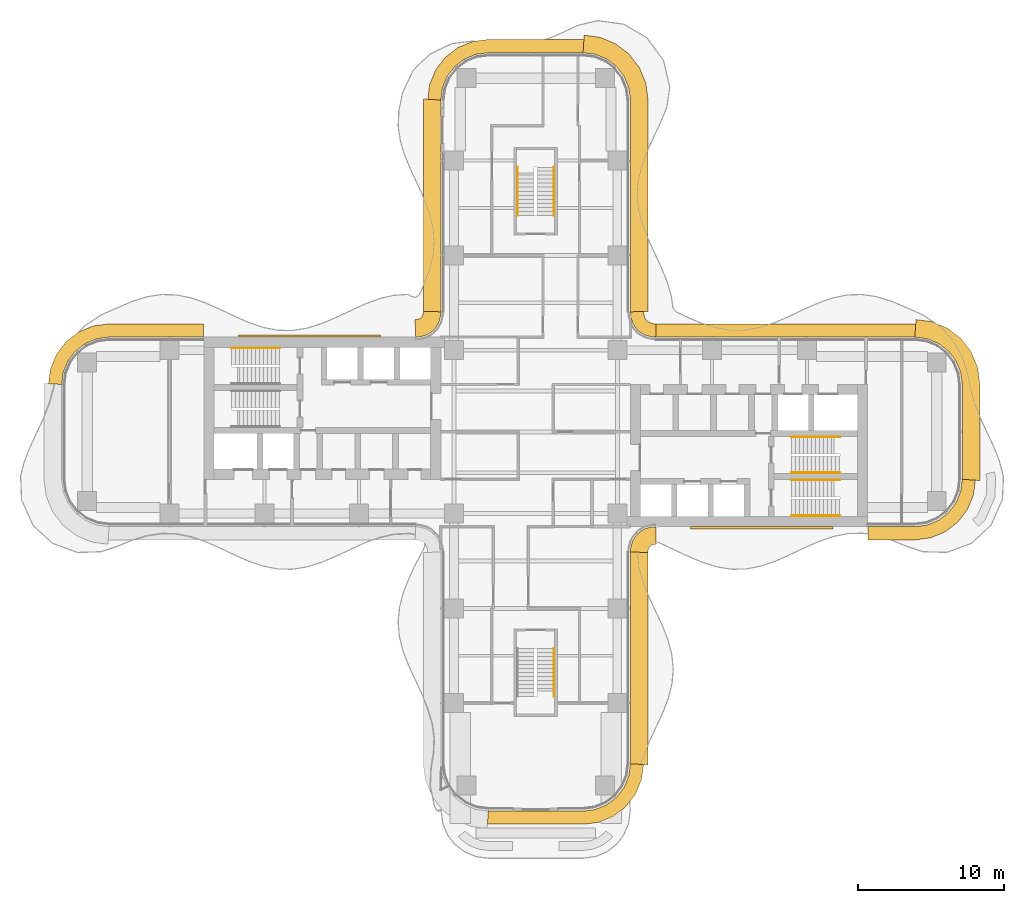
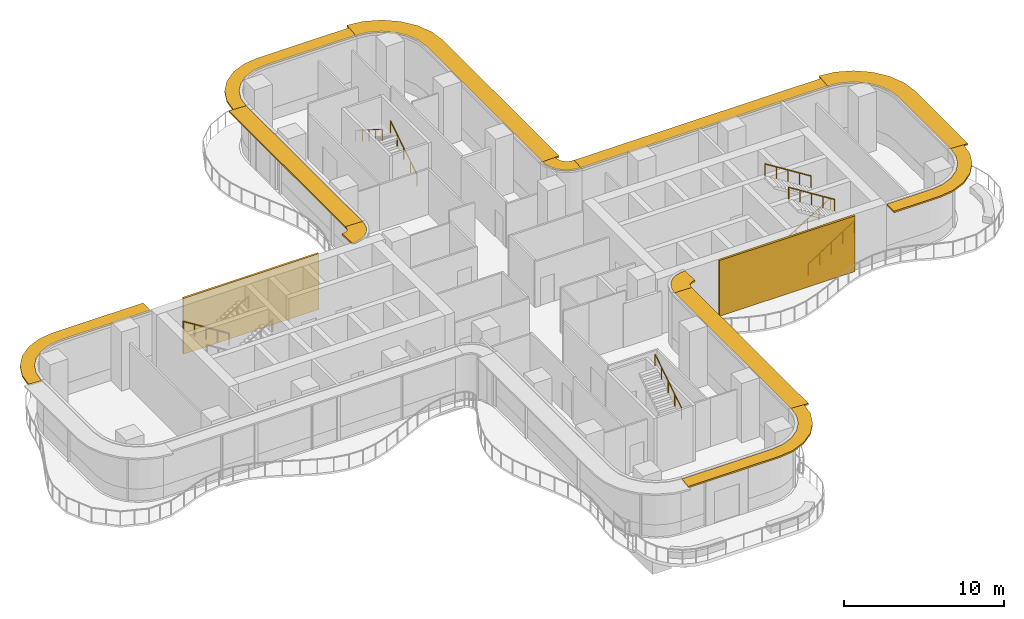
# One storey, part 22 of 22: 12 shading devices, 8 railings, 2 coverings.
"""IFC4 building model written with IfcOpenShell, lengths in metres."""

import ifcopenshell
import ifcopenshell.guid

model = None  # the IFC model being written
_history = None  # IfcOwnerHistory: only IFC2X3 demands one
_inside = {}  # id of a spatial element -> (the spatial element, [elements in it])
_under = {}  # id of a project, library or spatial element -> (it, [spatial elements below it])
_declared = {}  # id of a project -> (the project, [libraries it declares])
_typed = {}  # id of a type object -> (the type object, [elements of that type])
_made_of = {}  # id of a material, layer set ... -> (it, [elements and type objects made of it])


def new_model(schema):
    """Start an empty IFC model of exactly this schema.

    Asked for "IFC4X3", IfcOpenShell would pick the latest addendum, in which some entities
    have other attributes; the version numbers below select the first issue.
    IFC2X3 requires an IfcOwnerHistory on every rooted entity: one is made here for all.
    """
    global model, _history
    if schema == "IFC4X3":
        model = ifcopenshell.file(schema_version=(4, 3, 0, 0))
    else:
        model = ifcopenshell.file(schema=schema)
    _inside.clear()
    _under.clear()
    _declared.clear()
    _typed.clear()
    _made_of.clear()
    _history = None
    if model.schema == "IFC2X3":
        org = make("IfcOrganization", Name="unknown")
        user = make(
            "IfcPersonAndOrganization",
            ThePerson=make("IfcPerson", FamilyName="unknown"),
            TheOrganization=org,
        )
        app = make(
            "IfcApplication",
            ApplicationDeveloper=org,
            Version="unknown",
            ApplicationFullName="unknown",
            ApplicationIdentifier="unknown",
        )
        _history = make(
            "IfcOwnerHistory",
            OwningUser=user,
            OwningApplication=app,
            ChangeAction="ADDED",
            CreationDate=0,
        )
    return model


def make(cls, **values):
    """One entity of the class cls with the attributes given. An attribute that is None is left unset."""
    return model.create_entity(
        cls, **{name: value for name, value in values.items() if value is not None}
    )


def rooted(cls, **values):
    """An entity with a GlobalId (a new one), such as an element, a storey or a relation."""
    return make(cls, GlobalId=ifcopenshell.guid.new(), OwnerHistory=_history, **values)


def si_unit(unit_type, name, prefix=None):
    """IfcSIUnit, for example si_unit("LENGTHUNIT", "METRE", prefix="MILLI")."""
    return make("IfcSIUnit", UnitType=unit_type, Prefix=prefix, Name=name)


def assignment(units):
    """IfcUnitAssignment: the units of a project."""
    return None if units is None else make("IfcUnitAssignment", Units=units)


def point(xyz):
    """IfcCartesianPoint."""
    return None if xyz is None else make("IfcCartesianPoint", Coordinates=xyz)


def direction(xyz):
    """IfcDirection."""
    return None if xyz is None else make("IfcDirection", DirectionRatios=xyz)


def frame(location, z_axis=None, x_axis=None):
    """IfcAxis2Placement3D, a coordinate frame: its origin and axes. An axis left out is left unset."""
    return make(
        "IfcAxis2Placement3D",
        Location=point(location),
        Axis=direction(z_axis),
        RefDirection=direction(x_axis),
    )


def frame_2d(location, x_axis=None):
    """IfcAxis2Placement2D, a coordinate frame in the plane: its origin and x axis."""
    return make(
        "IfcAxis2Placement2D", Location=point(location), RefDirection=direction(x_axis)
    )


def origin():
    """The frame at (0, 0, 0) with its axes left unset."""
    return frame((0.0, 0.0, 0.0))


def origin_2d():
    """The frame at (0, 0) in the plane with its x axis left unset."""
    return frame_2d((0.0, 0.0))


def place(relative_to, where):
    """IfcLocalPlacement: puts the frame where relative to a parent placement (None: the world)."""
    return make(
        "IfcLocalPlacement", PlacementRelTo=relative_to, RelativePlacement=where
    )


def context(
    kind, dimensions, precision=None, world=None, true_north=None, identifier=None
):
    """IfcGeometricRepresentationContext, for example the 3D "Model" context."""
    return make(
        "IfcGeometricRepresentationContext",
        ContextIdentifier=identifier,
        ContextType=kind,
        CoordinateSpaceDimension=dimensions,
        Precision=precision,
        WorldCoordinateSystem=world,
        TrueNorth=true_north,
    )


def subcontext(parent, identifier, kind, view, scale=None):
    """IfcGeometricRepresentationSubContext, for example "Body" below "Model"."""
    return make(
        "IfcGeometricRepresentationSubContext",
        ContextIdentifier=identifier,
        ContextType=kind,
        ParentContext=parent,
        TargetScale=scale,
        TargetView=view,
    )


def project(units=None, contexts=None):
    """IfcProject with its units and contexts."""
    return rooted(
        "IfcProject",
        Name="project",
        RepresentationContexts=contexts,
        UnitsInContext=assignment(units),
    )


def spatial(cls, under=None, at=None, **own):
    """A site, building, storey or space (cls), placed at a placement, below another one or the project."""
    s = rooted(cls, ObjectPlacement=at, **own)
    if under is not None:
        _under.setdefault(under.id(), (under, []))[1].append(s)
    return s


def polyline(points):
    """IfcPolyline through the points."""
    return make("IfcPolyline", Points=[point(p) for p in points])


def profile(cls, at=None, kind="AREA", **sizes):
    """A parametric profile (cls). Its sizes go by their IFC names, for example OverallWidth=200.0."""
    return make(cls, ProfileType=kind, Position=at, **sizes)


def circle(**sizes):
    """IfcCircleProfileDef."""
    return profile("IfcCircleProfileDef", **sizes)


def outline(outer, holes=None, kind="AREA"):
    """IfcArbitraryClosedProfileDef: a profile drawn as a closed curve; with holes, ...WithVoids."""
    if holes is None:
        return make("IfcArbitraryClosedProfileDef", ProfileType=kind, OuterCurve=outer)
    return make(
        "IfcArbitraryProfileDefWithVoids",
        ProfileType=kind,
        OuterCurve=outer,
        InnerCurves=holes,
    )


def extrude(swept, where, along, depth):
    """IfcExtrudedAreaSolid: the profile swept, set in the frame where, extruded along a direction by depth."""
    return make(
        "IfcExtrudedAreaSolid",
        SweptArea=swept,
        Position=where,
        ExtrudedDirection=direction(along),
        Depth=depth,
    )


def shape(context_of_items, identifier, shape_type, items):
    """IfcShapeRepresentation: the items that make up one representation, for example the "Body"."""
    return make(
        "IfcShapeRepresentation",
        ContextOfItems=context_of_items,
        RepresentationIdentifier=identifier,
        RepresentationType=shape_type,
        Items=items,
    )


def source(mapping_origin, context_of_items, identifier, shape_type, items):
    """IfcRepresentationMap: a shape defined once, which mapped items show again and again."""
    return make(
        "IfcRepresentationMap",
        MappingOrigin=mapping_origin,
        MappedRepresentation=shape(context_of_items, identifier, shape_type, items),
    )


def transform(
    local_origin,
    x_axis=None,
    y_axis=None,
    z_axis=None,
    scale=None,
    scale2=None,
    scale3=None,
    uniform=True,
):
    """IfcCartesianTransformationOperator3D, or its non-uniform kind. x_axis, y_axis, z_axis: its Axis1, 2, 3."""
    if uniform:
        return make(
            "IfcCartesianTransformationOperator3D",
            Axis1=direction(x_axis),
            Axis2=direction(y_axis),
            LocalOrigin=point(local_origin),
            Scale=scale,
            Axis3=direction(z_axis),
        )
    return make(
        "IfcCartesianTransformationOperator3DnonUniform",
        Axis1=direction(x_axis),
        Axis2=direction(y_axis),
        LocalOrigin=point(local_origin),
        Scale=scale,
        Axis3=direction(z_axis),
        Scale2=scale2,
        Scale3=scale3,
    )


def mapped(mapping_source, mapping_target):
    """IfcMappedItem: shows the shape of a source again, moved by a transform."""
    return make(
        "IfcMappedItem", MappingSource=mapping_source, MappingTarget=mapping_target
    )


def material(Name=None, Category=None):
    """IfcMaterial."""
    return make("IfcMaterial", Name=Name, Category=Category)


def layer(
    of_material, thickness, ventilated=None, Name=None, Category=None, Priority=None
):
    """IfcMaterialLayer: one layer of a wall or slab, of a material (None: an air gap)."""
    return make(
        "IfcMaterialLayer",
        Material=of_material,
        LayerThickness=thickness,
        IsVentilated=ventilated,
        Name=Name,
        Category=Category,
        Priority=Priority,
    )


def layer_set(layers, Name=None):
    """IfcMaterialLayerSet."""
    return make("IfcMaterialLayerSet", MaterialLayers=layers, LayerSetName=Name)


def made_of(thing, what):
    """Note that an element or type object is made of a material, layer set ...; save() writes the relation."""
    if what is not None:
        _made_of.setdefault(what.id(), (what, []))[1].append(thing)
    return thing


def type_object(cls, material=None, **own):
    """A type object (cls), such as IfcWallType, which elements share."""
    return made_of(rooted(cls, **own), material)


def element(
    cls,
    number,
    at=None,
    inside=None,
    cuts=None,
    type_object=None,
    material=None,
    context=None,
    identifier="Body",
    shape_type=None,
    held_by="IfcProductDefinitionShape",
    body=None,
    shapes=None,
    **own,
):
    """One element of the class cls, such as IfcWall. Its Tag is "e" and its number.

    at: its placement. inside: the storey or other place that contains it. cuts: it is an
    opening in that element (IfcRelVoidsElement). A single representation is given by context,
    identifier, shape_type and body (its items); several are given by shapes. held_by: the class
    of the entity that holds the representations. save() writes the other relations.
    """
    e = rooted(cls, Tag="e%d" % number, ObjectPlacement=at, **own)
    if body is not None:
        shapes = [shape(context, identifier, shape_type, body)]
    if shapes is not None:
        e.Representation = make(held_by, Representations=shapes)
    if inside is not None:
        _inside.setdefault(inside.id(), (inside, []))[1].append(e)
    if cuts is not None:
        rooted(
            "IfcRelVoidsElement", RelatingBuildingElement=cuts, RelatedOpeningElement=e
        )
    if type_object is not None:
        _typed.setdefault(type_object.id(), (type_object, []))[1].append(e)
    return made_of(e, material)


def aggregate(whole, parts):
    """IfcRelAggregates: a whole, such as a stair, and the parts it consists of."""
    return rooted("IfcRelAggregates", RelatingObject=whole, RelatedObjects=parts)


def save(model, path):
    """Write the relations noted so far, then the file.

    IfcRelAggregates (storeys below a building ...), IfcRelContainedInSpatialStructure (elements
    in a storey), IfcRelDefinesByType, IfcRelAssociatesMaterial and IfcRelDeclares: one each for
    every whole, place, type object, material and project.
    """
    for whole, parts in _under.values():
        aggregate(whole, parts)
    for where, things in _inside.values():
        rooted(
            "IfcRelContainedInSpatialStructure",
            RelatedElements=things,
            RelatingStructure=where,
        )
    for kind, things in _typed.values():
        rooted("IfcRelDefinesByType", RelatedObjects=things, RelatingType=kind)
    for what, things in _made_of.values():
        rooted("IfcRelAssociatesMaterial", RelatedObjects=things, RelatingMaterial=what)
    for by, libraries in _declared.values():
        rooted("IfcRelDeclares", RelatingContext=by, RelatedDefinitions=libraries)
    model.write(path)


model = new_model("IFC4")

# Units and contexts
model_context = context("Model", 3, precision=1e-05, world=origin(), true_north=direction((0.0, 1.0)))
body_context = subcontext(model_context, "Body", "Model", "MODEL_VIEW")
ifc_project = project(units=[si_unit("LENGTHUNIT", "METRE"), si_unit("AREAUNIT", "SQUARE_METRE"), si_unit("VOLUMEUNIT", "CUBIC_METRE"), si_unit("PLANEANGLEUNIT", "RADIAN"), si_unit("MASSUNIT", "GRAM", prefix="KILO")], contexts=[model_context])

# Site, building, storey
site_placement = place(None, origin())
site = spatial("IfcSite", under=ifc_project, at=site_placement, CompositionType="ELEMENT")
building_placement = place(site_placement, origin())
building = spatial("IfcBuilding", under=site, at=building_placement, Name="Trellis Farm Tower", CompositionType="ELEMENT")
storey_placement = place(building_placement, frame((0.0, 0.0, 124.5)))
storey = spatial("IfcBuildingStorey", under=building, at=storey_placement, Name="L26", CompositionType="ELEMENT", Elevation=124.5)

# Railings
ifc_material_1 = material(Name="Stainless steel", Category="steel")
railing_type = type_object("IfcRailingType", Name="STAIR HANDRAIL 900", PredefinedType="HANDRAIL", material=ifc_material_1)
shared_shape_1 = source(origin(), body_context, "Body", "SweptSolid", [
    extrude(circle(Radius=0.02392578125, at=origin_2d()), frame((0.0, 0.0, 0.8759765625), z_axis=(0.0, 0.846319618018, 0.532675421018), x_axis=(-1.0, 0.0, 0.0)), (0.0, 0.0, 1.0), 3.89892578125),
    extrude(circle(Radius=0.02099609375, at=origin_2d()), origin(), (0.0, 0.0, 1.0), 0.851806640625),
    extrude(circle(Radius=0.02099609375, at=origin_2d()), frame((0.0, 0.824951171875, 0.519287109375)), (0.0, 0.0, 1.0), 0.851806640625),
    extrude(circle(Radius=0.02099609375, at=origin_2d()), frame((0.0, 1.64990234375, 1.03857421875)), (0.0, 0.0, 1.0), 0.851806640625),
    extrude(circle(Radius=0.02099609375, at=origin_2d()), frame((0.0, 2.474853515625, 1.5576171875)), (0.0, 0.0, 1.0), 0.851806640625),
    extrude(circle(Radius=0.02099609375, at=origin_2d()), frame((0.0, 3.2998046875, 2.076904296875)), (0.0, 0.0, 1.0), 0.851806640625),
])
for number, where, name in (
    (1, (1.25, 14.85009765625, 0.173095703125), "Stair handrail"),
    (2, (1.25, -18.14990234375, 2.423095703125), "Stair handrail"),
):
    element("IfcRailing", number, at=place(storey_placement, frame(where)), inside=storey, type_object=railing_type, Name=name, PredefinedType="HANDRAIL", context=body_context, shape_type="MappedRepresentation", body=[
        mapped(shared_shape_1, transform((0.0, 0.0, 0.0))),
    ])
shared_shape_2 = source(origin(), body_context, "Body", "SweptSolid", [
    extrude(circle(Radius=0.02392578125, at=origin_2d()), frame((0.0, 0.0, 0.8759765625), z_axis=(0.0, -0.846319618018, 0.532675421018), x_axis=(1.0, 0.0, 0.0)), (0.0, 0.0, 1.0), 3.89892578125),
    extrude(circle(Radius=0.02099609375, at=origin_2d()), origin(), (0.0, 0.0, 1.0), 0.851806640625),
    extrude(circle(Radius=0.02099609375, at=origin_2d()), frame((0.0, -0.824951171875, 0.519287109375)), (0.0, 0.0, 1.0), 0.851806640625),
    extrude(circle(Radius=0.02099609375, at=origin_2d()), frame((0.0, -1.64990234375, 1.03857421875)), (0.0, 0.0, 1.0), 0.851806640625),
    extrude(circle(Radius=0.02099609375, at=origin_2d()), frame((0.0, -2.474853515625, 1.5576171875)), (0.0, 0.0, 1.0), 0.851806640625),
    extrude(circle(Radius=0.02099609375, at=origin_2d()), frame((0.0, -3.2998046875, 2.076904296875)), (0.0, 0.0, 1.0), 0.851806640625),
])
railing_placement = place(storey_placement, frame((-1.25, 18.14990234375, 2.423095703125)))
element("IfcRailing", 3, at=railing_placement, inside=storey, type_object=railing_type, Name="Stair handrail", PredefinedType="HANDRAIL", context=body_context, shape_type="MappedRepresentation", body=[
    mapped(shared_shape_2, transform((0.0, 0.0, 0.0))),
])
shared_shape_3 = source(origin(), body_context, "Body", "SweptSolid", [
    extrude(circle(Radius=0.02392578125, at=origin_2d()), frame((0.0, 0.0, 0.8759765625), z_axis=(0.846337383501, 0.0, 0.532647194011), x_axis=(0.0, 1.0, 0.0)), (0.0, 0.0, 1.0), 3.899169921875),
    extrude(circle(Radius=0.02099609375, at=origin_2d()), origin(), (0.0, 0.0, 1.0), 0.851806640625),
    extrude(circle(Radius=0.02099609375, at=origin_2d()), frame((0.824951171875, 0.0, 0.519287109375)), (0.0, 0.0, 1.0), 0.851806640625),
    extrude(circle(Radius=0.02099609375, at=origin_2d()), frame((1.64990234375, 0.0, 1.03857421875)), (0.0, 0.0, 1.0), 0.851806640625),
    extrude(circle(Radius=0.02099609375, at=origin_2d()), frame((2.47509765625, 0.0, 1.5576171875)), (0.0, 0.0, 1.0), 0.851806640625),
    extrude(circle(Radius=0.02099609375, at=origin_2d()), frame((3.300048828125, 0.0, 2.076904296875)), (0.0, 0.0, 1.0), 0.851806640625),
])
for number, where, name in (
    (4, (17.550048828125, -5.75, 0.173095703125), "Stair handrail"),
    (5, (17.550048828125, -2.800048828125, 0.173095703125), "Stair handrail"),
):
    element("IfcRailing", number, at=place(storey_placement, frame(where)), inside=storey, type_object=railing_type, Name=name, PredefinedType="HANDRAIL", context=body_context, shape_type="MappedRepresentation", body=[
        mapped(shared_shape_3, transform((0.0, 0.0, 0.0))),
    ])
shared_shape_4 = source(origin(), body_context, "Body", "SweptSolid", [
    extrude(circle(Radius=0.02392578125, at=origin_2d()), frame((0.0, 0.0, 0.8759765625), z_axis=(-0.846337383501, 0.0, 0.532647194011), x_axis=(0.0, -1.0, 0.0)), (0.0, 0.0, 1.0), 3.899169921875),
    extrude(circle(Radius=0.02099609375, at=origin_2d()), origin(), (0.0, 0.0, 1.0), 0.851806640625),
    extrude(circle(Radius=0.02099609375, at=origin_2d()), frame((-0.824951171875, 0.0, 0.519287109375)), (0.0, 0.0, 1.0), 0.851806640625),
    extrude(circle(Radius=0.02099609375, at=origin_2d()), frame((-1.64990234375, 0.0, 1.03857421875)), (0.0, 0.0, 1.0), 0.851806640625),
    extrude(circle(Radius=0.02099609375, at=origin_2d()), frame((-2.47509765625, 0.0, 1.5576171875)), (0.0, 0.0, 1.0), 0.851806640625),
    extrude(circle(Radius=0.02099609375, at=origin_2d()), frame((-3.300048828125, 0.0, 2.076904296875)), (0.0, 0.0, 1.0), 0.851806640625),
])
for number, where, name in (
    (6, (20.85009765625, -3.300048828125, 2.423095703125), "Stair handrail"),
    (7, (20.85009765625, -0.35009765625, 2.423095703125), "Stair handrail"),
    (8, (-17.550048828125, 5.75, 0.173095703125), "Stair handrail"),
):
    element("IfcRailing", number, at=place(storey_placement, frame(where)), inside=storey, type_object=railing_type, Name=name, PredefinedType="HANDRAIL", context=body_context, shape_type="MappedRepresentation", body=[
        mapped(shared_shape_4, transform((0.0, 0.0, 0.0))),
    ])

# Shading devices
ifc_material_2 = material(Name="Aluminium extrusion 6063-T6", Category="aluminium")
ifc_layer_1 = layer(ifc_material_2, 0.1201171875)
ifc_layer_set_1 = layer_set([ifc_layer_1], Name="SUNSHADE BLADE 1200")
shading_device_type_1 = type_object("IfcShadingDeviceType", Name="SUNSHADE BLADE 1200", PredefinedType="USERDEFINED", material=ifc_layer_set_1)
shared_shape_5 = source(origin(), body_context, "Body", "SweptSolid", [
    extrude(outline(polyline([(7.699951171875, -8.270751953125), (7.708740234375, -8.13720703125), (7.70703125, -8.150146484375), (7.7548828125, -7.9716796875), (7.80712890625, -7.881103515625), (7.881103515625, -7.80712890625), (7.9716796875, -7.7548828125), (8.150146484375, -7.70703125), (8.13720703125, -7.708740234375), (8.270751953125, -7.699951171875), (8.2314453125, -6.5), (8.01953125, -6.513916015625), (7.91552734375, -6.527587890625), (7.508544921875, -6.63671875), (7.144287109375, -6.846923828125), (6.846923828125, -7.144287109375), (6.63671875, -7.508544921875), (6.527587890625, -7.91552734375), (6.513916015625, -8.01953125), (6.5, -8.2314453125), (7.699951171875, -8.270751953125)])), origin(), (0.0, 0.0, 1.0), 0.119873046875),
])
placement_1 = place(storey_placement, frame((0.0, 0.0, 4.090087890625)))
element("IfcShadingDevice", 9, at=placement_1, inside=storey, type_object=shading_device_type_1, Name="SD2 006", ObjectType="SUNSHADE", PredefinedType="USERDEFINED", context=body_context, shape_type="MappedRepresentation", body=[
    mapped(shared_shape_5, transform((0.0, 0.0, 0.0))),
])
ifc_layer_2 = layer(ifc_material_2, 0.1201171875)
ifc_layer_set_2 = layer_set([ifc_layer_2], Name="SUNSHADE BLADE 900")
shading_device_type_2 = type_object("IfcShadingDeviceType", Name="SUNSHADE BLADE 900", PredefinedType="USERDEFINED", material=ifc_layer_set_2)
shared_shape_6 = source(origin(), body_context, "Body", "SweptSolid", [
    extrude(outline(polyline([(8.2607421875, 7.39990234375), (8.107666015625, 7.409912109375), (8.091552734375, 7.412109375), (7.85595703125, 7.475341796875), (7.697021484375, 7.567138671875), (7.567138671875, 7.697021484375), (7.475341796875, 7.85595703125), (7.412109375, 8.091552734375), (7.409912109375, 8.107666015625), (7.39990234375, 8.2607421875), (6.5, 8.2314453125), (6.513916015625, 8.01953125), (6.527587890625, 7.91552734375), (6.63671875, 7.508544921875), (6.846923828125, 7.144287109375), (7.144287109375, 6.846923828125), (7.508544921875, 6.63671875), (7.91552734375, 6.527587890625), (8.01953125, 6.513916015625), (8.2314453125, 6.5), (8.2607421875, 7.39990234375)])), origin(), (0.0, 0.0, 1.0), 0.119873046875),
])
element("IfcShadingDevice", 10, at=placement_1, inside=storey, type_object=shading_device_type_2, Name="SD1 010", ObjectType="SUNSHADE", PredefinedType="USERDEFINED", context=body_context, shape_type="MappedRepresentation", body=[
    mapped(shared_shape_6, transform((0.0, 0.0, 0.0))),
])
shared_shape_7 = source(origin(), body_context, "Body", "SweptSolid", [
    extrude(outline(polyline([(-7.699951171875, 8.270751953125), (-7.708740234375, 8.13720703125), (-7.70703125, 8.150146484375), (-7.7548828125, 7.9716796875), (-7.80712890625, 7.881103515625), (-7.881103515625, 7.80712890625), (-7.9716796875, 7.7548828125), (-8.150146484375, 7.70703125), (-8.13720703125, 7.708740234375), (-8.270751953125, 7.699951171875), (-8.2314453125, 6.5), (-8.01953125, 6.513916015625), (-7.91552734375, 6.527587890625), (-7.508544921875, 6.63671875), (-7.144287109375, 6.846923828125), (-6.846923828125, 7.144287109375), (-6.63671875, 7.508544921875), (-6.527587890625, 7.91552734375), (-6.513916015625, 8.01953125), (-6.5, 8.2314453125), (-7.699951171875, 8.270751953125)])), origin(), (0.0, 0.0, 1.0), 0.119873046875),
])
element("IfcShadingDevice", 11, at=placement_1, inside=storey, type_object=shading_device_type_1, Name="SD2 014", ObjectType="SUNSHADE", PredefinedType="USERDEFINED", context=body_context, shape_type="MappedRepresentation", body=[
    mapped(shared_shape_7, transform((0.0, 0.0, 0.0))),
])
shared_shape_8 = source(origin(), body_context, "Body", "SweptSolid", [
    extrude(outline(polyline([(-22.780029296875, 7.39990234375), (-29.30908203125, 7.39990234375), (-30.326171875, 7.26611328125), (-31.328857421875, 6.850830078125), (-32.18994140625, 6.18994140625), (-32.850830078125, 5.328857421875), (-33.26611328125, 4.326171875), (-33.39990234375, 3.30908203125), (-32.5, 3.25), (-32.38916015625, 4.091064453125), (-32.064697265625, 4.875), (-31.548095703125, 5.548095703125), (-30.875, 6.064697265625), (-30.091064453125, 6.38916015625), (-29.25, 6.5), (-22.780029296875, 6.5), (-22.780029296875, 7.39990234375)])), origin(), (0.0, 0.0, 1.0), 0.119873046875),
])
element("IfcShadingDevice", 12, at=placement_1, inside=storey, type_object=shading_device_type_2, Name="SD1 015", ObjectType="SUNSHADE", PredefinedType="USERDEFINED", context=body_context, shape_type="MappedRepresentation", body=[
    mapped(shared_shape_8, transform((0.0, 0.0, 0.0))),
])

# Coverings
ifc_material_3 = material(Name="Perforated precast screen (cobogo)", Category="concrete")
ifc_layer_3 = layer(ifc_material_3, 0.14990234375)
ifc_layer_set_3 = layer_set([ifc_layer_3], Name="COBOGO SCREEN PANEL")
covering_type = type_object("IfcCoveringType", Name="COBOGO SCREEN PANEL", PredefinedType="USERDEFINED", material=ifc_layer_set_3)
shared_shape_9 = source(origin(), body_context, "Body", "SweptSolid", [
    extrude(outline(polyline([(10.630615234375, -6.64990234375), (20.380615234375, -6.64990234375), (20.380615234375, -6.5), (10.630615234375, -6.5), (10.630615234375, -6.64990234375)])), origin(), (0.0, 0.0, 1.0), 4.25),
])
placement_2 = place(storey_placement, origin())
element("IfcCovering", 13, at=placement_2, inside=storey, type_object=covering_type, Name="SC1 01", ObjectType="SCREEN", PredefinedType="USERDEFINED", context=body_context, shape_type="MappedRepresentation", body=[
    mapped(shared_shape_9, transform((0.0, 0.0, 0.0))),
])
shared_shape_10 = source(origin(), body_context, "Body", "SweptSolid", [
    extrude(outline(polyline([(-10.630615234375, 6.64990234375), (-20.380615234375, 6.64990234375), (-20.380615234375, 6.5), (-10.630615234375, 6.5), (-10.630615234375, 6.64990234375)])), origin(), (0.0, 0.0, 1.0), 4.25),
])
element("IfcCovering", 14, at=placement_2, inside=storey, type_object=covering_type, Name="SC1 02", ObjectType="SCREEN", PredefinedType="USERDEFINED", context=body_context, shape_type="MappedRepresentation", body=[
    mapped(shared_shape_10, transform((0.0, 0.0, 0.0))),
])

# Shading devices
shared_shape_11 = source(origin(), body_context, "Body", "SweptSolid", [
    extrude(outline(polyline([(7.699951171875, 8.270751953125), (7.699951171875, 22.82861328125), (7.558349609375, 23.904541015625), (7.11279296875, 24.980224609375), (6.404052734375, 25.904052734375), (5.480224609375, 26.61279296875), (4.404541015625, 27.058349609375), (3.32861328125, 27.199951171875), (3.25, 26.0), (4.091064453125, 25.88916015625), (4.875, 25.564697265625), (5.548095703125, 25.048095703125), (6.064697265625, 24.375), (6.38916015625, 23.591064453125), (6.5, 22.75), (6.5, 8.2314453125), (7.699951171875, 8.270751953125)])), origin(), (0.0, 0.0, 1.0), 0.119873046875),
])
element("IfcShadingDevice", 15, at=placement_1, inside=storey, type_object=shading_device_type_1, Name="SD2 011", ObjectType="SUNSHADE", PredefinedType="USERDEFINED", context=body_context, shape_type="MappedRepresentation", body=[
    mapped(shared_shape_11, transform((0.0, 0.0, 0.0))),
])
shared_shape_12 = source(origin(), body_context, "Body", "SweptSolid", [
    extrude(outline(polyline([(3.30908203125, 26.89990234375), (-3.30908203125, 26.89990234375), (-4.326171875, 26.76611328125), (-5.328857421875, 26.350830078125), (-6.18994140625, 25.68994140625), (-6.850830078125, 24.828857421875), (-7.26611328125, 23.826171875), (-7.39990234375, 22.80908203125), (-6.5, 22.75), (-6.38916015625, 23.591064453125), (-6.064697265625, 24.375), (-5.548095703125, 25.048095703125), (-4.875, 25.564697265625), (-4.091064453125, 25.88916015625), (-3.25, 26.0), (3.25, 26.0), (3.30908203125, 26.89990234375)])), origin(), (0.0, 0.0, 1.0), 0.119873046875),
])
element("IfcShadingDevice", 16, at=placement_1, inside=storey, type_object=shading_device_type_2, Name="SD1 012", ObjectType="SUNSHADE", PredefinedType="USERDEFINED", context=body_context, shape_type="MappedRepresentation", body=[
    mapped(shared_shape_12, transform((0.0, 0.0, 0.0))),
])
shared_shape_13 = source(origin(), body_context, "Body", "SweptSolid", [
    extrude(outline(polyline([(-7.699951171875, 22.82861328125), (-7.699951171875, 8.270751953125), (-6.5, 8.2314453125), (-6.5, 22.75), (-7.699951171875, 22.82861328125)])), origin(), (0.0, 0.0, 1.0), 0.119873046875),
])
element("IfcShadingDevice", 17, at=placement_1, inside=storey, type_object=shading_device_type_1, Name="SD2 013", ObjectType="SUNSHADE", PredefinedType="USERDEFINED", context=body_context, shape_type="MappedRepresentation", body=[
    mapped(shared_shape_13, transform((0.0, 0.0, 0.0))),
])
shared_shape_14 = source(origin(), body_context, "Body", "SweptSolid", [
    extrude(outline(polyline([(22.780029296875, -7.39990234375), (26.05908203125, -7.39990234375), (27.076171875, -7.26611328125), (28.078857421875, -6.850830078125), (28.93994140625, -6.18994140625), (29.600830078125, -5.328857421875), (30.01611328125, -4.326171875), (30.14990234375, -3.30908203125), (29.25, -3.25), (29.13916015625, -4.091064453125), (28.814697265625, -4.875), (28.298095703125, -5.548095703125), (27.625, -6.064697265625), (26.841064453125, -6.38916015625), (26.0, -6.5), (22.780029296875, -6.5), (22.780029296875, -7.39990234375)])), origin(), (0.0, 0.0, 1.0), 0.119873046875),
])
element("IfcShadingDevice", 18, at=placement_1, inside=storey, type_object=shading_device_type_2, Name="SD1 007", ObjectType="SUNSHADE", PredefinedType="USERDEFINED", context=body_context, shape_type="MappedRepresentation", body=[
    mapped(shared_shape_14, transform((0.0, 0.0, 0.0))),
])
shared_shape_15 = source(origin(), body_context, "Body", "SweptSolid", [
    extrude(outline(polyline([(30.449951171875, -3.32861328125), (30.449951171875, 3.32861328125), (30.308349609375, 4.404541015625), (29.86279296875, 5.480224609375), (29.154052734375, 6.404052734375), (28.230224609375, 7.11279296875), (27.154541015625, 7.558349609375), (26.07861328125, 7.699951171875), (26.0, 6.5), (26.841064453125, 6.38916015625), (27.625, 6.064697265625), (28.298095703125, 5.548095703125), (28.814697265625, 4.875), (29.13916015625, 4.091064453125), (29.25, 3.25), (29.25, -3.25), (30.449951171875, -3.32861328125)])), origin(), (0.0, 0.0, 1.0), 0.119873046875),
])
element("IfcShadingDevice", 19, at=placement_1, inside=storey, type_object=shading_device_type_1, Name="SD2 008", ObjectType="SUNSHADE", PredefinedType="USERDEFINED", context=body_context, shape_type="MappedRepresentation", body=[
    mapped(shared_shape_15, transform((0.0, 0.0, 0.0))),
])
shared_shape_16 = source(origin(), body_context, "Body", "SweptSolid", [
    extrude(outline(polyline([(26.05908203125, 7.39990234375), (8.2607421875, 7.39990234375), (8.2314453125, 6.5), (26.0, 6.5), (26.05908203125, 7.39990234375)])), origin(), (0.0, 0.0, 1.0), 0.119873046875),
])
element("IfcShadingDevice", 20, at=placement_1, inside=storey, type_object=shading_device_type_2, Name="SD1 009", ObjectType="SUNSHADE", PredefinedType="USERDEFINED", context=body_context, shape_type="MappedRepresentation", body=[
    mapped(shared_shape_16, transform((0.0, 0.0, 0.0))),
])
shared_shape_17 = source(origin(), body_context, "Body", "SweptSolid", [
    extrude(outline(polyline([(-3.30908203125, -26.89990234375), (3.30908203125, -26.89990234375), (4.326171875, -26.76611328125), (5.328857421875, -26.350830078125), (6.18994140625, -25.68994140625), (6.850830078125, -24.828857421875), (7.26611328125, -23.826171875), (7.39990234375, -22.80908203125), (6.5, -22.75), (6.38916015625, -23.591064453125), (6.064697265625, -24.375), (5.548095703125, -25.048095703125), (4.875, -25.564697265625), (4.091064453125, -25.88916015625), (3.25, -26.0), (-3.25, -26.0), (-3.30908203125, -26.89990234375)])), origin(), (0.0, 0.0, 1.0), 0.119873046875),
])
element("IfcShadingDevice", 21, at=placement_1, inside=storey, type_object=shading_device_type_2, Name="SD1 004", ObjectType="SUNSHADE", PredefinedType="USERDEFINED", context=body_context, shape_type="MappedRepresentation", body=[
    mapped(shared_shape_17, transform((0.0, 0.0, 0.0))),
])
shared_shape_18 = source(origin(), body_context, "Body", "SweptSolid", [
    extrude(outline(polyline([(7.699951171875, -22.82861328125), (7.699951171875, -8.270751953125), (6.5, -8.2314453125), (6.5, -22.75), (7.699951171875, -22.82861328125)])), origin(), (0.0, 0.0, 1.0), 0.119873046875),
])
element("IfcShadingDevice", 22, at=placement_1, inside=storey, type_object=shading_device_type_1, Name="SD2 005", ObjectType="SUNSHADE", PredefinedType="USERDEFINED", context=body_context, shape_type="MappedRepresentation", body=[
    mapped(shared_shape_18, transform((0.0, 0.0, 0.0))),
])

save(model, "model.ifc")
